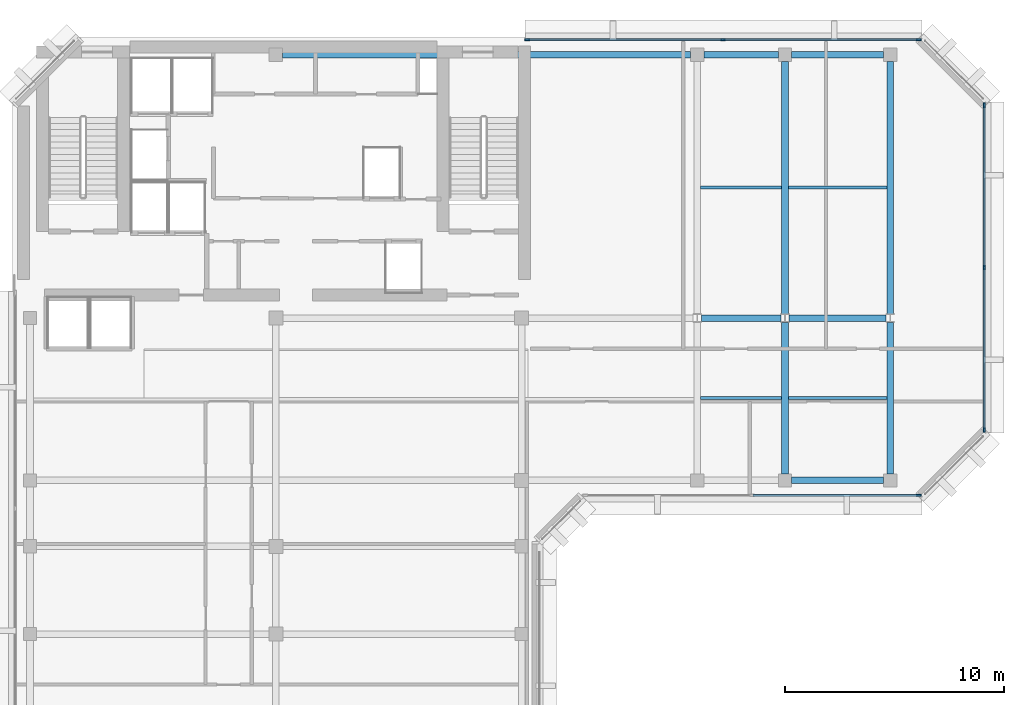
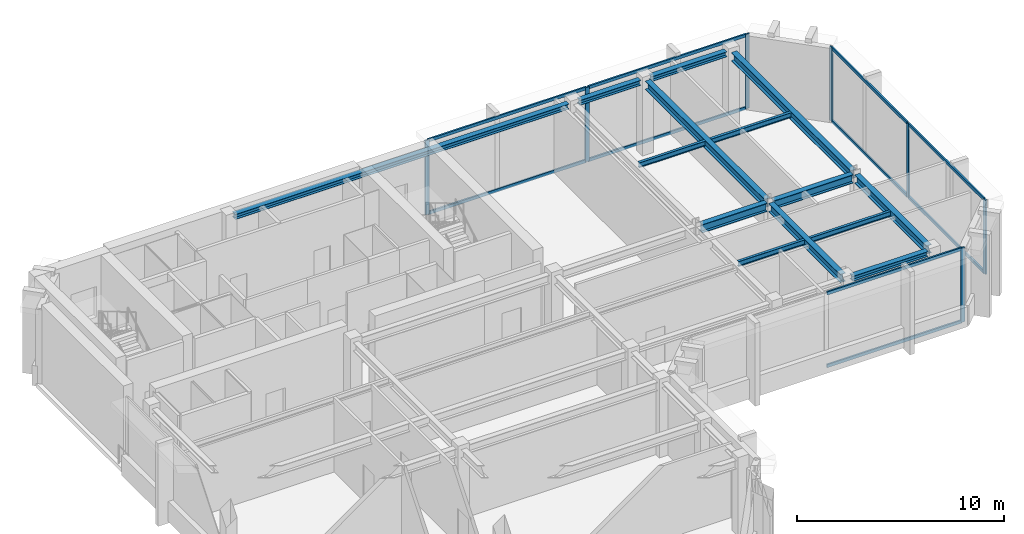
# One storey, part 3 of 9: 17 members, 14 beams, 3 elements without a shape of their own.
"""IFC4 building model written with IfcOpenShell, lengths in metres."""

import ifcopenshell
import ifcopenshell.guid

model = None  # the IFC model being written
_history = None  # IfcOwnerHistory: only IFC2X3 demands one
_inside = {}  # id of a spatial element -> (the spatial element, [elements in it])
_under = {}  # id of a project, library or spatial element -> (it, [spatial elements below it])
_declared = {}  # id of a project -> (the project, [libraries it declares])
_typed = {}  # id of a type object -> (the type object, [elements of that type])
_made_of = {}  # id of a material, layer set ... -> (it, [elements and type objects made of it])


def new_model(schema):
    """Start an empty IFC model of exactly this schema.

    Asked for "IFC4X3", IfcOpenShell would pick the latest addendum, in which some entities
    have other attributes; the version numbers below select the first issue.
    IFC2X3 requires an IfcOwnerHistory on every rooted entity: one is made here for all.
    """
    global model, _history
    if schema == "IFC4X3":
        model = ifcopenshell.file(schema_version=(4, 3, 0, 0))
    else:
        model = ifcopenshell.file(schema=schema)
    _inside.clear()
    _under.clear()
    _declared.clear()
    _typed.clear()
    _made_of.clear()
    _history = None
    if model.schema == "IFC2X3":
        org = make("IfcOrganization", Name="unknown")
        user = make(
            "IfcPersonAndOrganization",
            ThePerson=make("IfcPerson", FamilyName="unknown"),
            TheOrganization=org,
        )
        app = make(
            "IfcApplication",
            ApplicationDeveloper=org,
            Version="unknown",
            ApplicationFullName="unknown",
            ApplicationIdentifier="unknown",
        )
        _history = make(
            "IfcOwnerHistory",
            OwningUser=user,
            OwningApplication=app,
            ChangeAction="ADDED",
            CreationDate=0,
        )
    return model


def make(cls, **values):
    """One entity of the class cls with the attributes given. An attribute that is None is left unset."""
    return model.create_entity(
        cls, **{name: value for name, value in values.items() if value is not None}
    )


def rooted(cls, **values):
    """An entity with a GlobalId (a new one), such as an element, a storey or a relation."""
    return make(cls, GlobalId=ifcopenshell.guid.new(), OwnerHistory=_history, **values)


def si_unit(unit_type, name, prefix=None):
    """IfcSIUnit, for example si_unit("LENGTHUNIT", "METRE", prefix="MILLI")."""
    return make("IfcSIUnit", UnitType=unit_type, Prefix=prefix, Name=name)


def assignment(units):
    """IfcUnitAssignment: the units of a project."""
    return None if units is None else make("IfcUnitAssignment", Units=units)


def point(xyz):
    """IfcCartesianPoint."""
    return None if xyz is None else make("IfcCartesianPoint", Coordinates=xyz)


def direction(xyz):
    """IfcDirection."""
    return None if xyz is None else make("IfcDirection", DirectionRatios=xyz)


def frame(location, z_axis=None, x_axis=None):
    """IfcAxis2Placement3D, a coordinate frame: its origin and axes. An axis left out is left unset."""
    return make(
        "IfcAxis2Placement3D",
        Location=point(location),
        Axis=direction(z_axis),
        RefDirection=direction(x_axis),
    )


def frame_2d(location, x_axis=None):
    """IfcAxis2Placement2D, a coordinate frame in the plane: its origin and x axis."""
    return make(
        "IfcAxis2Placement2D", Location=point(location), RefDirection=direction(x_axis)
    )


def origin():
    """The frame at (0, 0, 0) with its axes left unset."""
    return frame((0.0, 0.0, 0.0))


def origin_2d():
    """The frame at (0, 0) in the plane with its x axis left unset."""
    return frame_2d((0.0, 0.0))


def place(relative_to, where):
    """IfcLocalPlacement: puts the frame where relative to a parent placement (None: the world)."""
    return make(
        "IfcLocalPlacement", PlacementRelTo=relative_to, RelativePlacement=where
    )


def context(
    kind, dimensions, precision=None, world=None, true_north=None, identifier=None
):
    """IfcGeometricRepresentationContext, for example the 3D "Model" context."""
    return make(
        "IfcGeometricRepresentationContext",
        ContextIdentifier=identifier,
        ContextType=kind,
        CoordinateSpaceDimension=dimensions,
        Precision=precision,
        WorldCoordinateSystem=world,
        TrueNorth=true_north,
    )


def subcontext(parent, identifier, kind, view, scale=None):
    """IfcGeometricRepresentationSubContext, for example "Body" below "Model"."""
    return make(
        "IfcGeometricRepresentationSubContext",
        ContextIdentifier=identifier,
        ContextType=kind,
        ParentContext=parent,
        TargetScale=scale,
        TargetView=view,
    )


def project(units=None, contexts=None):
    """IfcProject with its units and contexts."""
    return rooted(
        "IfcProject",
        Name="project",
        RepresentationContexts=contexts,
        UnitsInContext=assignment(units),
    )


def spatial(cls, under=None, at=None, **own):
    """A site, building, storey or space (cls), placed at a placement, below another one or the project."""
    s = rooted(cls, ObjectPlacement=at, **own)
    if under is not None:
        _under.setdefault(under.id(), (under, []))[1].append(s)
    return s


def profile(cls, at=None, kind="AREA", **sizes):
    """A parametric profile (cls). Its sizes go by their IFC names, for example OverallWidth=200.0."""
    return make(cls, ProfileType=kind, Position=at, **sizes)


def rectangle(**sizes):
    """IfcRectangleProfileDef."""
    return profile("IfcRectangleProfileDef", **sizes)


def i_section(**sizes):
    """IfcIShapeProfileDef."""
    return profile("IfcIShapeProfileDef", **sizes)


def extrude(swept, where, along, depth):
    """IfcExtrudedAreaSolid: the profile swept, set in the frame where, extruded along a direction by depth."""
    return make(
        "IfcExtrudedAreaSolid",
        SweptArea=swept,
        Position=where,
        ExtrudedDirection=direction(along),
        Depth=depth,
    )


def shape(context_of_items, identifier, shape_type, items):
    """IfcShapeRepresentation: the items that make up one representation, for example the "Body"."""
    return make(
        "IfcShapeRepresentation",
        ContextOfItems=context_of_items,
        RepresentationIdentifier=identifier,
        RepresentationType=shape_type,
        Items=items,
    )


def material(Name=None, Category=None):
    """IfcMaterial."""
    return make("IfcMaterial", Name=Name, Category=Category)


def layer(
    of_material, thickness, ventilated=None, Name=None, Category=None, Priority=None
):
    """IfcMaterialLayer: one layer of a wall or slab, of a material (None: an air gap)."""
    return make(
        "IfcMaterialLayer",
        Material=of_material,
        LayerThickness=thickness,
        IsVentilated=ventilated,
        Name=Name,
        Category=Category,
        Priority=Priority,
    )


def layer_set(layers, Name=None):
    """IfcMaterialLayerSet."""
    return make("IfcMaterialLayerSet", MaterialLayers=layers, LayerSetName=Name)


def material_profile(
    of_material, cross_section, Name=None, Category=None, Priority=None
):
    """IfcMaterialProfile: a cross section and its material."""
    return make(
        "IfcMaterialProfile",
        Name=Name,
        Material=of_material,
        Profile=cross_section,
        Priority=Priority,
        Category=Category,
    )


def profile_set(profiles, Name=None, composite=None):
    """IfcMaterialProfileSet."""
    return make(
        "IfcMaterialProfileSet",
        Name=Name,
        MaterialProfiles=profiles,
        CompositeProfile=composite,
    )


def made_of(thing, what):
    """Note that an element or type object is made of a material, layer set ...; save() writes the relation."""
    if what is not None:
        _made_of.setdefault(what.id(), (what, []))[1].append(thing)
    return thing


def type_object(cls, material=None, **own):
    """A type object (cls), such as IfcWallType, which elements share."""
    return made_of(rooted(cls, **own), material)


def element(
    cls,
    number,
    at=None,
    inside=None,
    cuts=None,
    type_object=None,
    material=None,
    context=None,
    identifier="Body",
    shape_type=None,
    held_by="IfcProductDefinitionShape",
    body=None,
    shapes=None,
    **own,
):
    """One element of the class cls, such as IfcWall. Its Tag is "e" and its number.

    at: its placement. inside: the storey or other place that contains it. cuts: it is an
    opening in that element (IfcRelVoidsElement). A single representation is given by context,
    identifier, shape_type and body (its items); several are given by shapes. held_by: the class
    of the entity that holds the representations. save() writes the other relations.
    """
    e = rooted(cls, Tag="e%d" % number, ObjectPlacement=at, **own)
    if body is not None:
        shapes = [shape(context, identifier, shape_type, body)]
    if shapes is not None:
        e.Representation = make(held_by, Representations=shapes)
    if inside is not None:
        _inside.setdefault(inside.id(), (inside, []))[1].append(e)
    if cuts is not None:
        rooted(
            "IfcRelVoidsElement", RelatingBuildingElement=cuts, RelatedOpeningElement=e
        )
    if type_object is not None:
        _typed.setdefault(type_object.id(), (type_object, []))[1].append(e)
    return made_of(e, material)


def aggregate(whole, parts):
    """IfcRelAggregates: a whole, such as a stair, and the parts it consists of."""
    return rooted("IfcRelAggregates", RelatingObject=whole, RelatedObjects=parts)


def save(model, path):
    """Write the relations noted so far, then the file.

    IfcRelAggregates (storeys below a building ...), IfcRelContainedInSpatialStructure (elements
    in a storey), IfcRelDefinesByType, IfcRelAssociatesMaterial and IfcRelDeclares: one each for
    every whole, place, type object, material and project.
    """
    for whole, parts in _under.values():
        aggregate(whole, parts)
    for where, things in _inside.values():
        rooted(
            "IfcRelContainedInSpatialStructure",
            RelatedElements=things,
            RelatingStructure=where,
        )
    for kind, things in _typed.values():
        rooted("IfcRelDefinesByType", RelatedObjects=things, RelatingType=kind)
    for what, things in _made_of.values():
        rooted("IfcRelAssociatesMaterial", RelatedObjects=things, RelatingMaterial=what)
    for by, libraries in _declared.values():
        rooted("IfcRelDeclares", RelatingContext=by, RelatedDefinitions=libraries)
    model.write(path)


model = new_model("IFC4")

# Units and contexts
model_context = context("Model", 3, precision=1e-05, world=origin(), true_north=direction((0.0, 1.0)))
body_context = subcontext(model_context, "Body", "Model", "MODEL_VIEW")
ifc_project = project(units=[si_unit("LENGTHUNIT", "METRE"), si_unit("AREAUNIT", "SQUARE_METRE"), si_unit("VOLUMEUNIT", "CUBIC_METRE"), si_unit("PLANEANGLEUNIT", "RADIAN"), si_unit("MASSUNIT", "GRAM", prefix="KILO")], contexts=[model_context])

# Site, building, storey
site_placement = place(None, origin())
site = spatial("IfcSite", under=ifc_project, at=site_placement, CompositionType="ELEMENT")
building_placement = place(site_placement, origin())
building = spatial("IfcBuilding", under=site, at=building_placement, Name="Kefirva Bronze Tower", CompositionType="ELEMENT")
storey_placement = place(building_placement, frame((0.0, 0.0, 356.72998046875)))
storey = spatial("IfcBuildingStorey", under=building, at=storey_placement, Name="L87", CompositionType="ELEMENT", Elevation=356.72998046875)

# Curtain wall, member
ifc_material_1 = material(Name="Bronze anodised aluminium", Category="aluminium")
ifc_layer = layer(ifc_material_1, 0.219970703125, Name="Bronze anodised aluminium")
ifc_layer_set = layer_set([ifc_layer], Name="Bronze anodised aluminium")
curtain_wall_type = type_object("IfcCurtainWallType", Name="Slanted Crown Faceted Bronze Curtain Wall", PredefinedType="USERDEFINED", material=ifc_layer_set)
curtain_wall_1_placement = place(storey_placement, origin())
curtain_wall_1 = element("IfcCurtainWall", 1, at=curtain_wall_1_placement, inside=storey, type_object=curtain_wall_type, Name="L87 Curtain Wall 1", ObjectType="UNITISED CURTAIN WALL", PredefinedType="USERDEFINED")
ifc_material_profile_1 = material_profile(ifc_material_1, rectangle(XDim=0.090087890625, YDim=0.219970703125, at=origin_2d()), Name="ALU 90x220")
ifc_profile_set_1 = profile_set([ifc_material_profile_1], Name="Bronze anodised aluminium")
member_type_1 = type_object("IfcMemberType", Name="Bronze Mullion 90x220", PredefinedType="MULLION", material=ifc_profile_set_1)
member_1_placement = place(storey_placement, frame((41.300048828125, 25.1201171875, 0.0), z_axis=(0.0, 0.0, 1.0), x_axis=(0.0, 1.0, 0.0)))
member_1 = element("IfcMember", 2, at=member_1_placement, type_object=member_type_1, Name="CW-07 mullion 3", PredefinedType="MULLION", context=body_context, shape_type="SweptSolid", body=[
    extrude(rectangle(XDim=0.090087890625, YDim=0.219970703125, at=origin_2d()), origin(), (0.0, 0.0, 1.0), 4.3701171875),
])

# Curtain wall, members
curtain_wall_2_placement = place(storey_placement, origin())
curtain_wall_2 = element("IfcCurtainWall", 3, at=curtain_wall_2_placement, inside=storey, type_object=curtain_wall_type, Name="L87 Curtain Wall 2", ObjectType="UNITISED CURTAIN WALL", PredefinedType="USERDEFINED")
member_2_placement = place(storey_placement, frame((44.280029296875, 28.10009765625, 0.0), z_axis=(0.0, 0.0, 1.0), x_axis=(-1.0, 0.0, 0.0)))
member_2 = element("IfcMember", 4, at=member_2_placement, type_object=member_type_1, Name="CW-07 mullion 1", PredefinedType="MULLION", context=body_context, shape_type="SweptSolid", body=[
    extrude(rectangle(XDim=0.090087890625, YDim=0.219970703125, at=origin_2d()), origin(), (0.0, 0.0, 1.0), 4.3701171875),
])
member_3_placement = place(storey_placement, frame((44.280029296875, 35.5, 0.0), z_axis=(0.0, 0.0, 1.0), x_axis=(-1.0, 0.0, 0.0)))
member_3 = element("IfcMember", 5, at=member_3_placement, type_object=member_type_1, Name="CW-07 mullion 2", PredefinedType="MULLION", context=body_context, shape_type="SweptSolid", body=[
    extrude(rectangle(XDim=0.090087890625, YDim=0.219970703125, at=origin_2d()), origin(), (0.0, 0.0, 1.0), 4.3701171875),
])
member_4_placement = place(storey_placement, frame((44.280029296875, 42.89990234375, 0.0), z_axis=(0.0, 0.0, 1.0), x_axis=(-1.0, 0.0, 0.0)))
member_4 = element("IfcMember", 6, at=member_4_placement, type_object=member_type_1, Name="CW-07 mullion 3", PredefinedType="MULLION", context=body_context, shape_type="SweptSolid", body=[
    extrude(rectangle(XDim=0.090087890625, YDim=0.219970703125, at=origin_2d()), origin(), (0.0, 0.0, 1.0), 4.3701171875),
])

curtain_wall_3_placement = place(storey_placement, origin())
curtain_wall_3 = element("IfcCurtainWall", 7, at=curtain_wall_3_placement, inside=storey, type_object=curtain_wall_type, Name="L87 Curtain Wall 3", ObjectType="UNITISED CURTAIN WALL", PredefinedType="USERDEFINED")
member_5_placement = place(storey_placement, frame((41.300048828125, 45.8798828125, 0.0), z_axis=(0.0, 0.0, 1.0), x_axis=(0.0, -1.0, 0.0)))
member_5 = element("IfcMember", 8, at=member_5_placement, type_object=member_type_1, Name="CW-07 mullion 1", PredefinedType="MULLION", context=body_context, shape_type="SweptSolid", body=[
    extrude(rectangle(XDim=0.090087890625, YDim=0.219970703125, at=origin_2d()), origin(), (0.0, 0.0, 1.0), 4.3701171875),
])
member_6_placement = place(storey_placement, frame((32.375, 45.8798828125, 0.0), z_axis=(0.0, 0.0, 1.0), x_axis=(0.0, -1.0, 0.0)))
member_6 = element("IfcMember", 9, at=member_6_placement, type_object=member_type_1, Name="CW-07 mullion 2", PredefinedType="MULLION", context=body_context, shape_type="SweptSolid", body=[
    extrude(rectangle(XDim=0.090087890625, YDim=0.219970703125, at=origin_2d()), origin(), (0.0, 0.0, 1.0), 4.3701171875),
])
member_7_placement = place(storey_placement, frame((23.449951171875, 45.8798828125, 0.0), z_axis=(0.0, 0.0, 1.0), x_axis=(0.0, -1.0, 0.0)))
member_7 = element("IfcMember", 10, at=member_7_placement, type_object=member_type_1, Name="CW-07 mullion 3", PredefinedType="MULLION", context=body_context, shape_type="SweptSolid", body=[
    extrude(rectangle(XDim=0.090087890625, YDim=0.219970703125, at=origin_2d()), origin(), (0.0, 0.0, 1.0), 4.3701171875),
])

# Member
ifc_material_profile_2 = material_profile(ifc_material_1, rectangle(XDim=0.090087890625, YDim=0.179931640625, at=origin_2d()), Name="ALU 90x180")
ifc_profile_set_2 = profile_set([ifc_material_profile_2], Name="Bronze anodised aluminium")
member_type_2 = type_object("IfcMemberType", Name="Bronze Transom 90x180", PredefinedType="USERDEFINED", material=ifc_profile_set_2)
member_8_placement = place(storey_placement, frame((33.7451171875, 25.1201171875, 0.044921875), z_axis=(1.0, 0.0, 0.0), x_axis=(0.0, 1.0, 0.0)))
member_8 = element("IfcMember", 11, at=member_8_placement, type_object=member_type_2, Name="CW-07 transom 2.1", ObjectType="TRANSOM", PredefinedType="USERDEFINED", context=body_context, shape_type="SweptSolid", body=[
    extrude(rectangle(XDim=0.090087890625, YDim=0.179931640625, at=origin_2d()), origin(), (0.0, 0.0, 1.0), 7.509765625),
])

member_9_placement = place(storey_placement, frame((33.7451171875, 25.1201171875, 4.324951171875), z_axis=(1.0, 0.0, 0.0), x_axis=(0.0, 1.0, 0.0)))
member_9 = element("IfcMember", 12, at=member_9_placement, type_object=member_type_2, Name="CW-07 transom 2.2", ObjectType="TRANSOM", PredefinedType="USERDEFINED", context=body_context, shape_type="SweptSolid", body=[
    extrude(rectangle(XDim=0.090087890625, YDim=0.179931640625, at=origin_2d()), origin(), (0.0, 0.0, 1.0), 7.509765625),
])

aggregate(curtain_wall_1, [member_1, member_8, member_9])

member_10_placement = place(storey_placement, frame((44.280029296875, 28.14501953125, 0.044921875), z_axis=(0.0, 1.0, 0.0), x_axis=(-1.0, 0.0, 0.0)))
member_10 = element("IfcMember", 13, at=member_10_placement, type_object=member_type_2, Name="CW-07 transom 1.1", ObjectType="TRANSOM", PredefinedType="USERDEFINED", context=body_context, shape_type="SweptSolid", body=[
    extrude(rectangle(XDim=0.090087890625, YDim=0.179931640625, at=origin_2d()), origin(), (0.0, 0.0, 1.0), 7.31005859375),
])

member_11_placement = place(storey_placement, frame((44.280029296875, 28.14501953125, 4.324951171875), z_axis=(0.0, 1.0, 0.0), x_axis=(-1.0, 0.0, 0.0)))
member_11 = element("IfcMember", 14, at=member_11_placement, type_object=member_type_2, Name="CW-07 transom 1.2", ObjectType="TRANSOM", PredefinedType="USERDEFINED", context=body_context, shape_type="SweptSolid", body=[
    extrude(rectangle(XDim=0.090087890625, YDim=0.179931640625, at=origin_2d()), origin(), (0.0, 0.0, 1.0), 7.31005859375),
])

member_12_placement = place(storey_placement, frame((44.280029296875, 35.544921875, 0.044921875), z_axis=(0.0, 1.0, 0.0), x_axis=(-1.0, 0.0, 0.0)))
member_12 = element("IfcMember", 15, at=member_12_placement, type_object=member_type_2, Name="CW-07 transom 2.1", ObjectType="TRANSOM", PredefinedType="USERDEFINED", context=body_context, shape_type="SweptSolid", body=[
    extrude(rectangle(XDim=0.090087890625, YDim=0.179931640625, at=origin_2d()), origin(), (0.0, 0.0, 1.0), 7.31005859375),
])

member_13_placement = place(storey_placement, frame((44.280029296875, 35.544921875, 4.324951171875), z_axis=(0.0, 1.0, 0.0), x_axis=(-1.0, 0.0, 0.0)))
member_13 = element("IfcMember", 16, at=member_13_placement, type_object=member_type_2, Name="CW-07 transom 2.2", ObjectType="TRANSOM", PredefinedType="USERDEFINED", context=body_context, shape_type="SweptSolid", body=[
    extrude(rectangle(XDim=0.090087890625, YDim=0.179931640625, at=origin_2d()), origin(), (0.0, 0.0, 1.0), 7.31005859375),
])

aggregate(curtain_wall_2, [member_2, member_3, member_4, member_10, member_11, member_12, member_13])

member_14_placement = place(storey_placement, frame((41.2548828125, 45.8798828125, 0.044921875), z_axis=(-1.0, 0.0, 0.0), x_axis=(0.0, -1.0, 0.0)))
member_14 = element("IfcMember", 17, at=member_14_placement, type_object=member_type_2, Name="CW-07 transom 1.1", ObjectType="TRANSOM", PredefinedType="USERDEFINED", context=body_context, shape_type="SweptSolid", body=[
    extrude(rectangle(XDim=0.090087890625, YDim=0.179931640625, at=origin_2d()), origin(), (0.0, 0.0, 1.0), 8.8349609375),
])

member_15_placement = place(storey_placement, frame((41.2548828125, 45.8798828125, 4.324951171875), z_axis=(-1.0, 0.0, 0.0), x_axis=(0.0, -1.0, 0.0)))
member_15 = element("IfcMember", 18, at=member_15_placement, type_object=member_type_2, Name="CW-07 transom 1.2", ObjectType="TRANSOM", PredefinedType="USERDEFINED", context=body_context, shape_type="SweptSolid", body=[
    extrude(rectangle(XDim=0.090087890625, YDim=0.179931640625, at=origin_2d()), origin(), (0.0, 0.0, 1.0), 8.8349609375),
])

member_16_placement = place(storey_placement, frame((32.330078125, 45.8798828125, 0.044921875), z_axis=(-1.0, 0.0, 0.0), x_axis=(0.0, -1.0, 0.0)))
member_16 = element("IfcMember", 19, at=member_16_placement, type_object=member_type_2, Name="CW-07 transom 2.1", ObjectType="TRANSOM", PredefinedType="USERDEFINED", context=body_context, shape_type="SweptSolid", body=[
    extrude(rectangle(XDim=0.090087890625, YDim=0.179931640625, at=origin_2d()), origin(), (0.0, 0.0, 1.0), 8.8349609375),
])

member_17_placement = place(storey_placement, frame((32.330078125, 45.8798828125, 4.324951171875), z_axis=(-1.0, 0.0, 0.0), x_axis=(0.0, -1.0, 0.0)))
member_17 = element("IfcMember", 20, at=member_17_placement, type_object=member_type_2, Name="CW-07 transom 2.2", ObjectType="TRANSOM", PredefinedType="USERDEFINED", context=body_context, shape_type="SweptSolid", body=[
    extrude(rectangle(XDim=0.090087890625, YDim=0.179931640625, at=origin_2d()), origin(), (0.0, 0.0, 1.0), 8.8349609375),
])

aggregate(curtain_wall_3, [member_5, member_6, member_7, member_14, member_15, member_16, member_17])

# Beams
ifc_material_2 = material(Name="Steel S355", Category="steel")
ifc_material_profile_3 = material_profile(ifc_material_2, i_section(OverallWidth=0.14990234375, OverallDepth=0.300048828125, WebThickness=0.007080078125, FlangeThickness=0.0107421875, at=origin_2d()), Name="IPE 300")
ifc_profile_set_3 = profile_set([ifc_material_profile_3], Name="Steel S355")
beam_type_1 = type_object("IfcBeamType", Name="Steel Floor Joist IPE 300", PredefinedType="JOIST", material=ifc_profile_set_3)
for number, where, z_axis, x_axis, name in (
    (21, (31.35009765625, 29.55322265625, 4.219970703125), (1.0, 0.0, 0.0), (0.0, 1.0, 0.0), "L87 JST-L87-31-295"),
    (22, (31.35009765625, 39.146728515625, 4.219970703125), (1.0, 0.0, 0.0), (0.0, 1.0, 0.0), "L87 JST-L87-31-391"),
):
    element("IfcBeam", number, at=place(storey_placement, frame(where, z_axis=z_axis, x_axis=x_axis)), inside=storey, type_object=beam_type_1, Name=name, PredefinedType="JOIST", context=body_context, shape_type="SweptSolid", body=[
        extrude(i_section(OverallWidth=0.14990234375, OverallDepth=0.300048828125, WebThickness=0.007080078125, FlangeThickness=0.0107421875, at=origin_2d()), origin(), (0.0, 0.0, 1.0), 3.699951171875),
    ])
for number, where, z_axis, x_axis, name in (
    (23, (35.35009765625, 29.55322265625, 4.219970703125), (1.0, 0.0, 0.0), (0.0, 1.0, 0.0), "L87 JST-L87-35-295"),
    (24, (35.35009765625, 39.146728515625, 4.219970703125), (1.0, 0.0, 0.0), (0.0, 1.0, 0.0), "L87 JST-L87-35-391"),
):
    element("IfcBeam", number, at=place(storey_placement, frame(where, z_axis=z_axis, x_axis=x_axis)), inside=storey, type_object=beam_type_1, Name=name, PredefinedType="JOIST", context=body_context, shape_type="SweptSolid", body=[
        extrude(i_section(OverallWidth=0.14990234375, OverallDepth=0.300048828125, WebThickness=0.007080078125, FlangeThickness=0.0107421875, at=origin_2d()), origin(), (0.0, 0.0, 1.0), 4.5),
    ])
ifc_material_profile_4 = material_profile(ifc_material_2, i_section(OverallWidth=0.300048828125, OverallDepth=0.5, WebThickness=0.014404296875, FlangeThickness=0.028076171875, at=origin_2d()), Name="HEB 500")
ifc_profile_set_4 = profile_set([ifc_material_profile_4], Name="Steel S355")
beam_type_2 = type_object("IfcBeamType", Name="Steel Girder HEB 500", PredefinedType="USERDEFINED", material=ifc_profile_set_4)
beam_1_placement = place(storey_placement, frame((31.388427734375, 33.199951171875, 4.1201171875), z_axis=(1.0, 0.0, 0.0), x_axis=(0.0, 1.0, 0.0)))
element("IfcBeam", 25, at=beam_1_placement, inside=storey, type_object=beam_type_2, Name="L87 BM-L87-EW-31-332", ObjectType="GIRDER", PredefinedType="USERDEFINED", context=body_context, shape_type="SweptSolid", body=[
    extrude(i_section(OverallWidth=0.300048828125, OverallDepth=0.5, WebThickness=0.014404296875, FlangeThickness=0.028076171875, at=origin_2d()), origin(), (0.0, 0.0, 1.0), 3.623046875),
])
beam_2_placement = place(storey_placement, frame((35.388427734375, 33.199951171875, 4.1201171875), z_axis=(1.0, 0.0, 0.0), x_axis=(0.0, 1.0, 0.0)))
element("IfcBeam", 26, at=beam_2_placement, inside=storey, type_object=beam_type_2, Name="L87 BM-L87-EW-35-332", ObjectType="GIRDER", PredefinedType="USERDEFINED", context=body_context, shape_type="SweptSolid", body=[
    extrude(i_section(OverallWidth=0.300048828125, OverallDepth=0.5, WebThickness=0.014404296875, FlangeThickness=0.028076171875, at=origin_2d()), origin(), (0.0, 0.0, 1.0), 4.423095703125),
])
beam_3_placement = place(storey_placement, frame((35.199951171875, 26.10009765625, 4.1201171875), z_axis=(0.0, 1.0, 0.0), x_axis=(-1.0, 0.0, 0.0)))
element("IfcBeam", 27, at=beam_3_placement, inside=storey, type_object=beam_type_2, Name="L87 BM-L87-NS-352-25", ObjectType="GIRDER", PredefinedType="USERDEFINED", context=body_context, shape_type="SweptSolid", body=[
    extrude(i_section(OverallWidth=0.300048828125, OverallDepth=0.5, WebThickness=0.014404296875, FlangeThickness=0.028076171875, at=origin_2d()), origin(), (0.0, 0.0, 1.0), 6.906494140625),
])
beam_4_placement = place(storey_placement, frame((35.199951171875, 33.3935546875, 4.1201171875), z_axis=(0.0, 1.0, 0.0), x_axis=(-1.0, 0.0, 0.0)))
element("IfcBeam", 28, at=beam_4_placement, inside=storey, type_object=beam_type_2, Name="L87 BM-L87-NS-352-33", ObjectType="GIRDER", PredefinedType="USERDEFINED", context=body_context, shape_type="SweptSolid", body=[
    extrude(i_section(OverallWidth=0.300048828125, OverallDepth=0.5, WebThickness=0.014404296875, FlangeThickness=0.028076171875, at=origin_2d()), origin(), (0.0, 0.0, 1.0), 11.50634765625),
])
beam_5_placement = place(storey_placement, frame((40.0, 26.10009765625, 4.1201171875), z_axis=(0.0, 1.0, 0.0), x_axis=(-1.0, 0.0, 0.0)))
element("IfcBeam", 29, at=beam_5_placement, inside=storey, type_object=beam_type_2, Name="L87 BM-L87-NS-400-25", ObjectType="GIRDER", PredefinedType="USERDEFINED", context=body_context, shape_type="SweptSolid", body=[
    extrude(i_section(OverallWidth=0.300048828125, OverallDepth=0.5, WebThickness=0.014404296875, FlangeThickness=0.028076171875, at=origin_2d()), origin(), (0.0, 0.0, 1.0), 6.906494140625),
])
beam_6_placement = place(storey_placement, frame((40.0, 33.3935546875, 4.1201171875), z_axis=(0.0, 1.0, 0.0), x_axis=(-1.0, 0.0, 0.0)))
element("IfcBeam", 30, at=beam_6_placement, inside=storey, type_object=beam_type_2, Name="L87 BM-L87-NS-400-33", ObjectType="GIRDER", PredefinedType="USERDEFINED", context=body_context, shape_type="SweptSolid", body=[
    extrude(i_section(OverallWidth=0.300048828125, OverallDepth=0.5, WebThickness=0.014404296875, FlangeThickness=0.028076171875, at=origin_2d()), origin(), (0.0, 0.0, 1.0), 11.50634765625),
])
ifc_material_profile_5 = material_profile(ifc_material_2, i_section(OverallWidth=0.300048828125, OverallDepth=0.300048828125, WebThickness=0.010986328125, FlangeThickness=0.01904296875, at=origin_2d()), Name="HEB 300")
ifc_profile_set_5 = profile_set([ifc_material_profile_5], Name="Steel S355")
beam_type_3 = type_object("IfcBeamType", Name="Steel Spandrel HEB 300 Ext", PredefinedType="SPANDREL", material=ifc_profile_set_5)
beam_7_placement = place(storey_placement, frame((35.5, 25.800048828125, 4.219970703125), z_axis=(1.0, 0.0, 0.0), x_axis=(0.0, 1.0, 0.0)))
element("IfcBeam", 31, at=beam_7_placement, inside=storey, type_object=beam_type_3, Name="L87 BM-L87-EW-35-258", PredefinedType="SPANDREL", context=body_context, shape_type="SweptSolid", body=[
    extrude(i_section(OverallWidth=0.300048828125, OverallDepth=0.300048828125, WebThickness=0.010986328125, FlangeThickness=0.01904296875, at=origin_2d()), origin(), (0.0, 0.0, 1.0), 4.199951171875),
])
beam_8_placement = place(storey_placement, frame((12.300048828125, 45.199951171875, 4.219970703125), z_axis=(1.0, 0.0, 0.0), x_axis=(0.0, 1.0, 0.0)))
element("IfcBeam", 32, at=beam_8_placement, inside=storey, type_object=beam_type_3, Name="L87 BM-L87-EW-12-452", PredefinedType="SPANDREL", context=body_context, shape_type="SweptSolid", body=[
    extrude(i_section(OverallWidth=0.300048828125, OverallDepth=0.300048828125, WebThickness=0.010986328125, FlangeThickness=0.01904296875, at=origin_2d()), origin(), (0.0, 0.0, 1.0), 18.599853515625),
])
beam_9_placement = place(storey_placement, frame((31.5, 45.199951171875, 4.219970703125), z_axis=(1.0, 0.0, 0.0), x_axis=(0.0, 1.0, 0.0)))
element("IfcBeam", 33, at=beam_9_placement, inside=storey, type_object=beam_type_3, Name="L87 BM-L87-EW-31-452", PredefinedType="SPANDREL", context=body_context, shape_type="SweptSolid", body=[
    extrude(i_section(OverallWidth=0.300048828125, OverallDepth=0.300048828125, WebThickness=0.010986328125, FlangeThickness=0.01904296875, at=origin_2d()), origin(), (0.0, 0.0, 1.0), 3.39990234375),
])
beam_10_placement = place(storey_placement, frame((35.5, 45.199951171875, 4.219970703125), z_axis=(1.0, 0.0, 0.0), x_axis=(0.0, 1.0, 0.0)))
element("IfcBeam", 34, at=beam_10_placement, inside=storey, type_object=beam_type_3, Name="L87 BM-L87-EW-35-452", PredefinedType="SPANDREL", context=body_context, shape_type="SweptSolid", body=[
    extrude(i_section(OverallWidth=0.300048828125, OverallDepth=0.300048828125, WebThickness=0.010986328125, FlangeThickness=0.01904296875, at=origin_2d()), origin(), (0.0, 0.0, 1.0), 4.199951171875),
])

save(model, "model.ifc")
